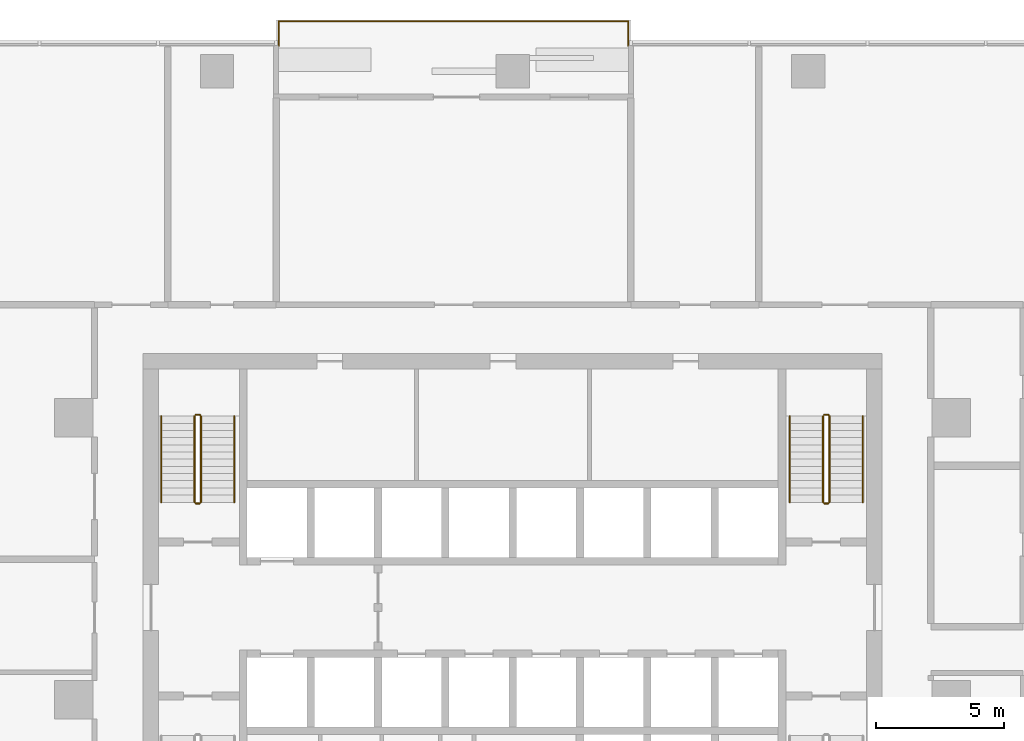
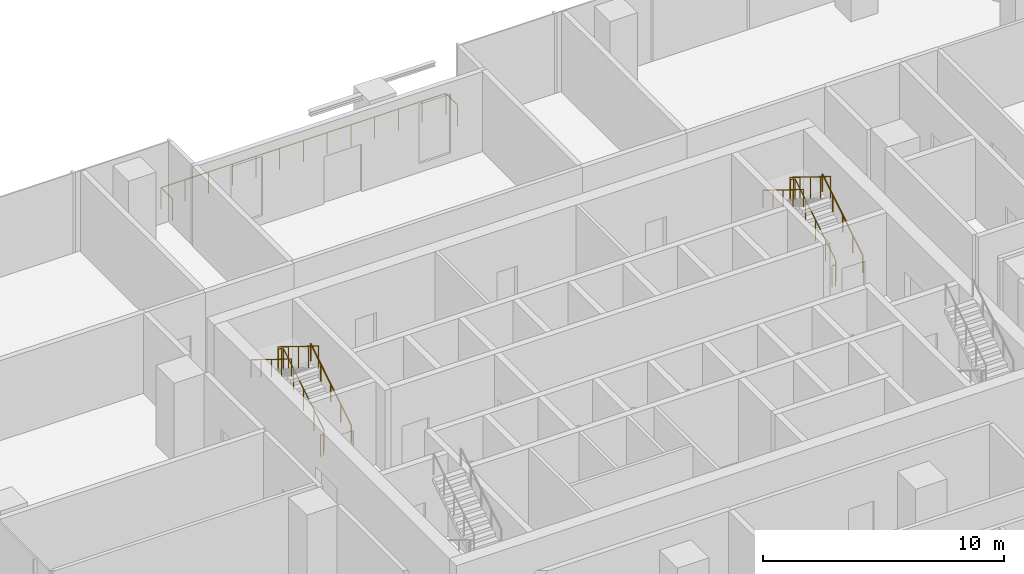
# One storey, part 14 of 14: 11 railings.
"""IFC4 building model written with IfcOpenShell, lengths in metres."""

from ifc_helpers import new_model, si_unit, direction, frame, origin, origin_2d, place, context, subcontext, project, spatial, circle, extrude, material, type_object, element, save


model = new_model("IFC4")

# Units and contexts
model_context = context("Model", 3, precision=1e-05, world=origin(), true_north=direction((0.0, 1.0)))
body_context = subcontext(model_context, "Body", "Model", "MODEL_VIEW")
ifc_project = project(units=[si_unit("LENGTHUNIT", "METRE"), si_unit("AREAUNIT", "SQUARE_METRE"), si_unit("VOLUMEUNIT", "CUBIC_METRE"), si_unit("PLANEANGLEUNIT", "RADIAN"), si_unit("MASSUNIT", "GRAM", prefix="KILO")], contexts=[model_context])

# Site, building, storey
site_placement = place(None, origin())
site = spatial("IfcSite", under=ifc_project, at=site_placement, CompositionType="ELEMENT")
building_placement = place(site_placement, origin())
building = spatial("IfcBuilding", under=site, at=building_placement, Name="Mopane Tessera Tower", CompositionType="ELEMENT")
storey_placement = place(building_placement, frame((0.0, 0.0, 139.60009765625)))
storey = spatial("IfcBuildingStorey", under=building, at=storey_placement, Name="L28", CompositionType="ELEMENT", Elevation=139.60009765625)

# Railings
ifc_material_1 = material(Name="Powder-coated steel balustrade", Category="steel")
railing_type_1 = type_object("IfcRailingType", Name="Escape stair guard 1100 mm", PredefinedType="GUARDRAIL", material=ifc_material_1)
railing_1_placement = place(storey_placement, frame((-12.14990234375, 7.699951171875, 0.173095703125)))
element("IfcRailing", 1, at=railing_1_placement, inside=storey, type_object=railing_type_1, Name="L28 ST2 stair guard 1", PredefinedType="GUARDRAIL", context=body_context, shape_type="SweptSolid", body=[
    extrude(circle(Radius=0.02392578125, at=origin_2d()), frame((0.0, 0.0, 1.076171875), z_axis=(0.0, 0.850623216509, 0.525775754039), x_axis=(-1.0, 0.0, 0.0)), (0.0, 0.0, 1.0), 3.9501953125),
    extrude(circle(Radius=0.02392578125, at=origin_2d()), frame((0.0, 3.360107421875, 3.15283203125), z_axis=(-0.707106781187, 0.707106781187, 0.0), x_axis=(-0.707106781187, -0.707106781187, 0.0)), (0.0, 0.0, 1.0), 0.07080078125),
    extrude(circle(Radius=0.02392578125, at=origin_2d()), frame((-0.050048828125, 3.41015625, 3.15283203125), z_axis=(-1.0, 0.0, 0.0), x_axis=(0.0, -1.0, 0.0)), (0.0, 0.0, 1.0), 0.150146484375),
    extrude(circle(Radius=0.02099609375, at=origin_2d()), origin(), (0.0, 0.0, 1.0), 1.052001953125),
    extrude(circle(Radius=0.02099609375, at=origin_2d()), frame((0.0, 0.840087890625, 0.519287109375)), (0.0, 0.0, 1.0), 1.052001953125),
    extrude(circle(Radius=0.02099609375, at=origin_2d()), frame((0.0, 1.68017578125, 1.03857421875)), (0.0, 0.0, 1.0), 1.052001953125),
    extrude(circle(Radius=0.02099609375, at=origin_2d()), frame((0.0, 2.52001953125, 1.5576171875)), (0.0, 0.0, 1.0), 1.052001953125),
    extrude(circle(Radius=0.02099609375, at=origin_2d()), frame((0.0, 3.360107421875, 2.076904296875)), (0.0, 0.0, 1.0), 1.052001953125),
    extrude(circle(Radius=0.02099609375, at=origin_2d()), frame((-0.050048828125, 3.41015625, 2.076904296875)), (0.0, 0.0, 1.0), 1.052001953125),
    extrude(circle(Radius=0.02099609375, at=origin_2d()), frame((-0.2001953125, 3.41015625, 2.076904296875)), (0.0, 0.0, 1.0), 1.052001953125),
])
railing_2_placement = place(storey_placement, frame((-12.39990234375, 11.06005859375, 2.423095703125)))
element("IfcRailing", 2, at=railing_2_placement, inside=storey, type_object=railing_type_1, Name="L28 ST2 stair guard 2", PredefinedType="GUARDRAIL", context=body_context, shape_type="SweptSolid", body=[
    extrude(circle(Radius=0.02392578125, at=origin_2d()), frame((0.0, 0.0, 1.076171875), z_axis=(0.0, -0.850623216509, 0.525775754039), x_axis=(1.0, 0.0, 0.0)), (0.0, 0.0, 1.0), 3.9501953125),
    extrude(circle(Radius=0.02099609375, at=origin_2d()), origin(), (0.0, 0.0, 1.0), 1.052001953125),
    extrude(circle(Radius=0.02099609375, at=origin_2d()), frame((0.0, -0.840087890625, 0.519287109375)), (0.0, 0.0, 1.0), 1.052001953125),
    extrude(circle(Radius=0.02099609375, at=origin_2d()), frame((0.0, -1.68017578125, 1.03857421875)), (0.0, 0.0, 1.0), 1.052001953125),
    extrude(circle(Radius=0.02099609375, at=origin_2d()), frame((0.0, -2.52001953125, 1.5576171875)), (0.0, 0.0, 1.0), 1.052001953125),
    extrude(circle(Radius=0.02099609375, at=origin_2d()), frame((0.0, -3.360107421875, 2.076904296875)), (0.0, 0.0, 1.0), 1.052001953125),
])
railing_3_placement = place(storey_placement, frame((-12.199951171875, 7.64990234375, 0.0)))
element("IfcRailing", 3, at=railing_3_placement, inside=storey, type_object=railing_type_1, Name="L28 ST2 stair guard 3", PredefinedType="GUARDRAIL", context=body_context, shape_type="SweptSolid", body=[
    extrude(circle(Radius=0.02392578125, at=origin_2d()), frame((0.0, 0.0, 1.076171875), z_axis=(-1.0, 0.0, 0.0), x_axis=(0.0, -1.0, 0.0)), (0.0, 0.0, 1.0), 0.150146484375),
    extrude(circle(Radius=0.02099609375, at=origin_2d()), origin(), (0.0, 0.0, 1.0), 1.052001953125),
    extrude(circle(Radius=0.02099609375, at=origin_2d()), frame((-0.150146484375, 0.0, 0.0)), (0.0, 0.0, 1.0), 1.052001953125),
])
railing_4_placement = place(storey_placement, frame((12.35009765625, 7.699951171875, 0.173095703125)))
element("IfcRailing", 4, at=railing_4_placement, inside=storey, type_object=railing_type_1, Name="L28 ST4 stair guard 1", PredefinedType="GUARDRAIL", context=body_context, shape_type="SweptSolid", body=[
    extrude(circle(Radius=0.02392578125, at=origin_2d()), frame((0.0, 0.0, 1.076171875), z_axis=(0.0, 0.850623216509, 0.525775754039), x_axis=(-1.0, 0.0, 0.0)), (0.0, 0.0, 1.0), 3.9501953125),
    extrude(circle(Radius=0.02392578125, at=origin_2d()), frame((0.0, 3.360107421875, 3.15283203125), z_axis=(-0.707106781187, 0.707106781187, 0.0), x_axis=(-0.707106781187, -0.707106781187, 0.0)), (0.0, 0.0, 1.0), 0.07080078125),
    extrude(circle(Radius=0.02392578125, at=origin_2d()), frame((-0.050048828125, 3.41015625, 3.15283203125), z_axis=(-1.0, 0.0, 0.0), x_axis=(0.0, -1.0, 0.0)), (0.0, 0.0, 1.0), 0.150146484375),
    extrude(circle(Radius=0.02099609375, at=origin_2d()), origin(), (0.0, 0.0, 1.0), 1.052001953125),
    extrude(circle(Radius=0.02099609375, at=origin_2d()), frame((0.0, 0.840087890625, 0.519287109375)), (0.0, 0.0, 1.0), 1.052001953125),
    extrude(circle(Radius=0.02099609375, at=origin_2d()), frame((0.0, 1.68017578125, 1.03857421875)), (0.0, 0.0, 1.0), 1.052001953125),
    extrude(circle(Radius=0.02099609375, at=origin_2d()), frame((0.0, 2.52001953125, 1.5576171875)), (0.0, 0.0, 1.0), 1.052001953125),
    extrude(circle(Radius=0.02099609375, at=origin_2d()), frame((0.0, 3.360107421875, 2.076904296875)), (0.0, 0.0, 1.0), 1.052001953125),
    extrude(circle(Radius=0.02099609375, at=origin_2d()), frame((-0.050048828125, 3.41015625, 2.076904296875)), (0.0, 0.0, 1.0), 1.052001953125),
    extrude(circle(Radius=0.02099609375, at=origin_2d()), frame((-0.2001953125, 3.41015625, 2.076904296875)), (0.0, 0.0, 1.0), 1.052001953125),
])
railing_5_placement = place(storey_placement, frame((12.10009765625, 11.06005859375, 2.423095703125)))
element("IfcRailing", 5, at=railing_5_placement, inside=storey, type_object=railing_type_1, Name="L28 ST4 stair guard 2", PredefinedType="GUARDRAIL", context=body_context, shape_type="SweptSolid", body=[
    extrude(circle(Radius=0.02392578125, at=origin_2d()), frame((0.0, 0.0, 1.076171875), z_axis=(0.0, -0.850623216509, 0.525775754039), x_axis=(1.0, 0.0, 0.0)), (0.0, 0.0, 1.0), 3.9501953125),
    extrude(circle(Radius=0.02099609375, at=origin_2d()), origin(), (0.0, 0.0, 1.0), 1.052001953125),
    extrude(circle(Radius=0.02099609375, at=origin_2d()), frame((0.0, -0.840087890625, 0.519287109375)), (0.0, 0.0, 1.0), 1.052001953125),
    extrude(circle(Radius=0.02099609375, at=origin_2d()), frame((0.0, -1.68017578125, 1.03857421875)), (0.0, 0.0, 1.0), 1.052001953125),
    extrude(circle(Radius=0.02099609375, at=origin_2d()), frame((0.0, -2.52001953125, 1.5576171875)), (0.0, 0.0, 1.0), 1.052001953125),
    extrude(circle(Radius=0.02099609375, at=origin_2d()), frame((0.0, -3.360107421875, 2.076904296875)), (0.0, 0.0, 1.0), 1.052001953125),
])
railing_6_placement = place(storey_placement, frame((12.300048828125, 7.64990234375, 0.0)))
element("IfcRailing", 6, at=railing_6_placement, inside=storey, type_object=railing_type_1, Name="L28 ST4 stair guard 3", PredefinedType="GUARDRAIL", context=body_context, shape_type="SweptSolid", body=[
    extrude(circle(Radius=0.02392578125, at=origin_2d()), frame((0.0, 0.0, 1.076171875), z_axis=(-1.0, 0.0, 0.0), x_axis=(0.0, -1.0, 0.0)), (0.0, 0.0, 1.0), 0.150146484375),
    extrude(circle(Radius=0.02099609375, at=origin_2d()), origin(), (0.0, 0.0, 1.0), 1.052001953125),
    extrude(circle(Radius=0.02099609375, at=origin_2d()), frame((-0.150146484375, 0.0, 0.0)), (0.0, 0.0, 1.0), 1.052001953125),
])
ifc_material_2 = material(Name="Powder-coated steel balustrade", Category="steel")
railing_type_2 = type_object("IfcRailingType", Name="Escape stair handrail 900 mm", PredefinedType="HANDRAIL", material=ifc_material_2)
railing_7_placement = place(storey_placement, frame((-10.85009765625, 7.699951171875, 0.173095703125)))
element("IfcRailing", 7, at=railing_7_placement, inside=storey, type_object=railing_type_2, Name="L28 ST2 stair handrail 1", PredefinedType="HANDRAIL", context=body_context, shape_type="SweptSolid", body=[
    extrude(circle(Radius=0.02392578125, at=origin_2d()), frame((0.0, 0.0, 0.8759765625), z_axis=(0.0, 0.850623216509, 0.525775754039), x_axis=(-1.0, 0.0, 0.0)), (0.0, 0.0, 1.0), 3.9501953125),
    extrude(circle(Radius=0.02099609375, at=origin_2d()), origin(), (0.0, 0.0, 1.0), 0.851806640625),
    extrude(circle(Radius=0.02099609375, at=origin_2d()), frame((0.0, 0.840087890625, 0.519287109375)), (0.0, 0.0, 1.0), 0.851806640625),
    extrude(circle(Radius=0.02099609375, at=origin_2d()), frame((0.0, 1.68017578125, 1.03857421875)), (0.0, 0.0, 1.0), 0.851806640625),
    extrude(circle(Radius=0.02099609375, at=origin_2d()), frame((0.0, 2.52001953125, 1.5576171875)), (0.0, 0.0, 1.0), 0.851806640625),
    extrude(circle(Radius=0.02099609375, at=origin_2d()), frame((0.0, 3.360107421875, 2.076904296875)), (0.0, 0.0, 1.0), 0.851806640625),
])
railing_8_placement = place(storey_placement, frame((-13.699951171875, 11.06005859375, 2.423095703125)))
element("IfcRailing", 8, at=railing_8_placement, inside=storey, type_object=railing_type_2, Name="L28 ST2 stair handrail 2", PredefinedType="HANDRAIL", context=body_context, shape_type="SweptSolid", body=[
    extrude(circle(Radius=0.02392578125, at=origin_2d()), frame((0.0, 0.0, 0.8759765625), z_axis=(0.0, -0.850623216509, 0.525775754039), x_axis=(1.0, 0.0, 0.0)), (0.0, 0.0, 1.0), 3.9501953125),
    extrude(circle(Radius=0.02099609375, at=origin_2d()), origin(), (0.0, 0.0, 1.0), 0.851806640625),
    extrude(circle(Radius=0.02099609375, at=origin_2d()), frame((0.0, -0.840087890625, 0.519287109375)), (0.0, 0.0, 1.0), 0.851806640625),
    extrude(circle(Radius=0.02099609375, at=origin_2d()), frame((0.0, -1.68017578125, 1.03857421875)), (0.0, 0.0, 1.0), 0.851806640625),
    extrude(circle(Radius=0.02099609375, at=origin_2d()), frame((0.0, -2.52001953125, 1.5576171875)), (0.0, 0.0, 1.0), 0.851806640625),
    extrude(circle(Radius=0.02099609375, at=origin_2d()), frame((0.0, -3.360107421875, 2.076904296875)), (0.0, 0.0, 1.0), 0.851806640625),
])
railing_9_placement = place(storey_placement, frame((13.64990234375, 7.699951171875, 0.173095703125)))
element("IfcRailing", 9, at=railing_9_placement, inside=storey, type_object=railing_type_2, Name="L28 ST4 stair handrail 1", PredefinedType="HANDRAIL", context=body_context, shape_type="SweptSolid", body=[
    extrude(circle(Radius=0.02392578125, at=origin_2d()), frame((0.0, 0.0, 0.8759765625), z_axis=(0.0, 0.850623216509, 0.525775754039), x_axis=(-1.0, 0.0, 0.0)), (0.0, 0.0, 1.0), 3.9501953125),
    extrude(circle(Radius=0.02099609375, at=origin_2d()), origin(), (0.0, 0.0, 1.0), 0.851806640625),
    extrude(circle(Radius=0.02099609375, at=origin_2d()), frame((0.0, 0.840087890625, 0.519287109375)), (0.0, 0.0, 1.0), 0.851806640625),
    extrude(circle(Radius=0.02099609375, at=origin_2d()), frame((0.0, 1.68017578125, 1.03857421875)), (0.0, 0.0, 1.0), 0.851806640625),
    extrude(circle(Radius=0.02099609375, at=origin_2d()), frame((0.0, 2.52001953125, 1.5576171875)), (0.0, 0.0, 1.0), 0.851806640625),
    extrude(circle(Radius=0.02099609375, at=origin_2d()), frame((0.0, 3.360107421875, 2.076904296875)), (0.0, 0.0, 1.0), 0.851806640625),
])
railing_10_placement = place(storey_placement, frame((10.800048828125, 11.06005859375, 2.423095703125)))
element("IfcRailing", 10, at=railing_10_placement, inside=storey, type_object=railing_type_2, Name="L28 ST4 stair handrail 2", PredefinedType="HANDRAIL", context=body_context, shape_type="SweptSolid", body=[
    extrude(circle(Radius=0.02392578125, at=origin_2d()), frame((0.0, 0.0, 0.8759765625), z_axis=(0.0, -0.850623216509, 0.525775754039), x_axis=(1.0, 0.0, 0.0)), (0.0, 0.0, 1.0), 3.9501953125),
    extrude(circle(Radius=0.02099609375, at=origin_2d()), origin(), (0.0, 0.0, 1.0), 0.851806640625),
    extrude(circle(Radius=0.02099609375, at=origin_2d()), frame((0.0, -0.840087890625, 0.519287109375)), (0.0, 0.0, 1.0), 0.851806640625),
    extrude(circle(Radius=0.02099609375, at=origin_2d()), frame((0.0, -1.68017578125, 1.03857421875)), (0.0, 0.0, 1.0), 0.851806640625),
    extrude(circle(Radius=0.02099609375, at=origin_2d()), frame((0.0, -2.52001953125, 1.5576171875)), (0.0, 0.0, 1.0), 0.851806640625),
    extrude(circle(Radius=0.02099609375, at=origin_2d()), frame((0.0, -3.360107421875, 2.076904296875)), (0.0, 0.0, 1.0), 0.851806640625),
])
ifc_material_3 = material(Name="Stainless steel S316", Category="steel")
railing_type_3 = type_object("IfcRailingType", Name="Terrace guard 1100", PredefinedType="GUARDRAIL", material=ifc_material_3)
railing_11_placement = place(storey_placement, frame((4.510009765625, 25.5, 0.0)))
element("IfcRailing", 11, at=railing_11_placement, inside=storey, type_object=railing_type_3, Name="e:nw:L28:N1:guard", PredefinedType="GUARDRAIL", context=body_context, shape_type="SweptSolid", body=[
    extrude(circle(Radius=0.02392578125, at=origin_2d()), frame((0.0, 0.0, 1.076171875), z_axis=(0.0, 1.0, 0.0), x_axis=(-1.0, 0.0, 0.0)), (0.0, 0.0, 1.0), 0.949951171875),
    extrude(circle(Radius=0.02392578125, at=origin_2d()), frame((0.0, 0.949951171875, 1.076171875), z_axis=(-1.0, 0.0, 0.0), x_axis=(0.0, -1.0, 0.0)), (0.0, 0.0, 1.0), 13.630126953125),
    extrude(circle(Radius=0.02392578125, at=origin_2d()), frame((-13.630126953125, 0.949951171875, 1.076171875), z_axis=(0.0, -1.0, 0.0), x_axis=(1.0, 0.0, 0.0)), (0.0, 0.0, 1.0), 0.949951171875),
    extrude(circle(Radius=0.02099609375, at=origin_2d()), origin(), (0.0, 0.0, 1.0), 1.052001953125),
    extrude(circle(Radius=0.02099609375, at=origin_2d()), frame((0.0, 0.949951171875, 0.0)), (0.0, 0.0, 1.0), 1.052001953125),
    extrude(circle(Radius=0.02099609375, at=origin_2d()), frame((-1.1357421875, 0.949951171875, 0.0)), (0.0, 0.0, 1.0), 1.052001953125),
    extrude(circle(Radius=0.02099609375, at=origin_2d()), frame((-2.271728515625, 0.949951171875, 0.0)), (0.0, 0.0, 1.0), 1.052001953125),
    extrude(circle(Radius=0.02099609375, at=origin_2d()), frame((-3.407470703125, 0.949951171875, 0.0)), (0.0, 0.0, 1.0), 1.052001953125),
    extrude(circle(Radius=0.02099609375, at=origin_2d()), frame((-4.54345703125, 0.949951171875, 0.0)), (0.0, 0.0, 1.0), 1.052001953125),
    extrude(circle(Radius=0.02099609375, at=origin_2d()), frame((-5.67919921875, 0.949951171875, 0.0)), (0.0, 0.0, 1.0), 1.052001953125),
    extrude(circle(Radius=0.02099609375, at=origin_2d()), frame((-6.81494140625, 0.949951171875, 0.0)), (0.0, 0.0, 1.0), 1.052001953125),
    extrude(circle(Radius=0.02099609375, at=origin_2d()), frame((-7.950927734375, 0.949951171875, 0.0)), (0.0, 0.0, 1.0), 1.052001953125),
    extrude(circle(Radius=0.02099609375, at=origin_2d()), frame((-9.086669921875, 0.949951171875, 0.0)), (0.0, 0.0, 1.0), 1.052001953125),
    extrude(circle(Radius=0.02099609375, at=origin_2d()), frame((-10.22265625, 0.949951171875, 0.0)), (0.0, 0.0, 1.0), 1.052001953125),
    extrude(circle(Radius=0.02099609375, at=origin_2d()), frame((-11.3583984375, 0.949951171875, 0.0)), (0.0, 0.0, 1.0), 1.052001953125),
    extrude(circle(Radius=0.02099609375, at=origin_2d()), frame((-12.494384765625, 0.949951171875, 0.0)), (0.0, 0.0, 1.0), 1.052001953125),
    extrude(circle(Radius=0.02099609375, at=origin_2d()), frame((-13.630126953125, 0.949951171875, 0.0)), (0.0, 0.0, 1.0), 1.052001953125),
    extrude(circle(Radius=0.02099609375, at=origin_2d()), frame((-13.630126953125, 0.0, 0.0)), (0.0, 0.0, 1.0), 1.052001953125),
])

save(model, "model.ifc")
